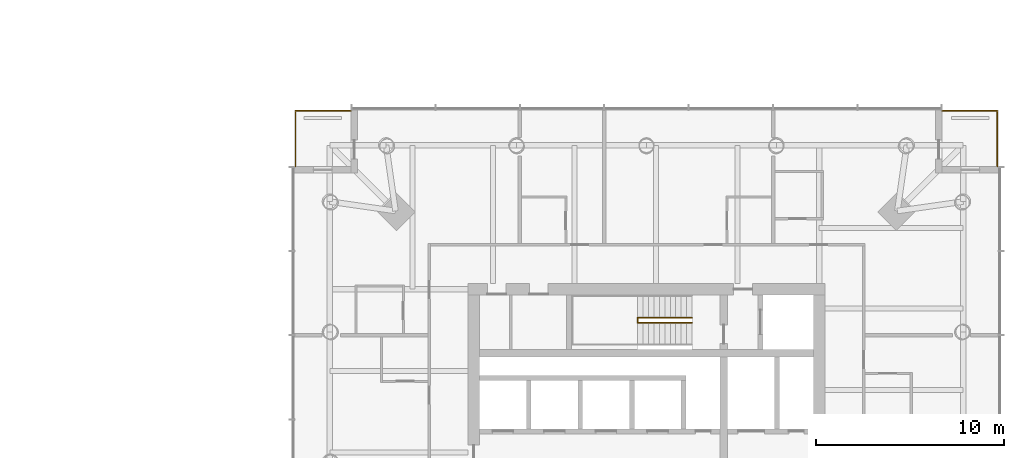
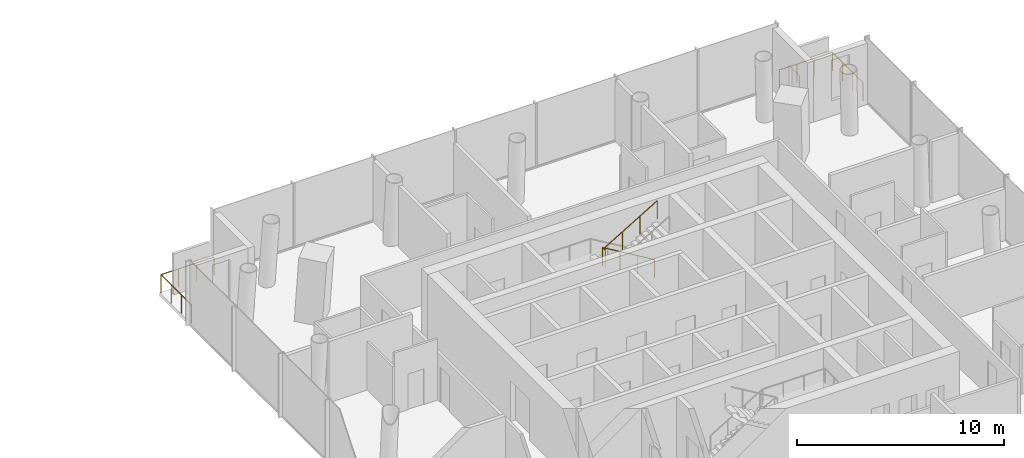
# One storey, part 18 of 18: 3 railings.
"""IFC4 building model written with IfcOpenShell, lengths in metres."""

from ifc_helpers import new_model, si_unit, direction, frame, origin, origin_2d, place, context, subcontext, project, spatial, circle, extrude, material, type_object, element, save


model = new_model("IFC4")

# Units and contexts
model_context = context("Model", 3, precision=1e-05, world=origin(), true_north=direction((0.0, 1.0)))
body_context = subcontext(model_context, "Body", "Model", "MODEL_VIEW")
ifc_project = project(units=[si_unit("LENGTHUNIT", "METRE"), si_unit("AREAUNIT", "SQUARE_METRE"), si_unit("VOLUMEUNIT", "CUBIC_METRE"), si_unit("PLANEANGLEUNIT", "RADIAN"), si_unit("MASSUNIT", "GRAM", prefix="KILO")], contexts=[model_context])

# Site, building, storey
site_placement = place(None, origin())
site = spatial("IfcSite", under=ifc_project, at=site_placement, CompositionType="ELEMENT")
building_placement = place(site_placement, origin())
building = spatial("IfcBuilding", under=site, at=building_placement, Name="Ostroluk Exchange", CompositionType="ELEMENT")
storey_placement = place(building_placement, frame((0.0, 0.0, 70.39990234375)))
storey = spatial("IfcBuildingStorey", under=building, at=storey_placement, Name="L17", CompositionType="ELEMENT", Elevation=70.39990234375)

# Railings
ifc_material_1 = material(Name="Stainless steel", Category="steel")
railing_type_1 = type_object("IfcRailingType", Name="Guard 1100 stainless steel", PredefinedType="GUARDRAIL", material=ifc_material_1)
railing_1_placement = place(storey_placement, frame((132.75, 64.699951171875, 0.0)))
element("IfcRailing", 1, at=railing_1_placement, inside=storey, type_object=railing_type_1, Name="Hotel tower NE balcony guard L17", PredefinedType="GUARDRAIL", context=body_context, shape_type="SweptSolid", body=[
    extrude(circle(Radius=0.02392578125, at=origin_2d()), frame((0.0, 0.0, 1.076171875), z_axis=(1.0, 0.0, 0.0), x_axis=(0.0, 1.0, 0.0)), (0.0, 0.0, 1.0), 2.949951171875),
    extrude(circle(Radius=0.02392578125, at=origin_2d()), frame((2.949951171875, 0.0, 1.076171875), z_axis=(0.0, -1.0, 0.0), x_axis=(1.0, 0.0, 0.0)), (0.0, 0.0, 1.0), 2.949951171875),
    extrude(circle(Radius=0.02099609375, at=origin_2d()), origin(), (0.0, 0.0, 1.0), 1.052001953125),
    extrude(circle(Radius=0.02099609375, at=origin_2d()), frame((0.9833984375, 0.0, 0.0)), (0.0, 0.0, 1.0), 1.052001953125),
    extrude(circle(Radius=0.02099609375, at=origin_2d()), frame((1.966552734375, 0.0, 0.0)), (0.0, 0.0, 1.0), 1.052001953125),
    extrude(circle(Radius=0.02099609375, at=origin_2d()), frame((2.949951171875, 0.0, 0.0)), (0.0, 0.0, 1.0), 1.052001953125),
    extrude(circle(Radius=0.02099609375, at=origin_2d()), frame((2.949951171875, -0.9833984375, 0.0)), (0.0, 0.0, 1.0), 1.052001953125),
    extrude(circle(Radius=0.02099609375, at=origin_2d()), frame((2.949951171875, -1.966552734375, 0.0)), (0.0, 0.0, 1.0), 1.052001953125),
    extrude(circle(Radius=0.02099609375, at=origin_2d()), frame((2.949951171875, -2.949951171875, 0.0)), (0.0, 0.0, 1.0), 1.052001953125),
])
railing_2_placement = place(storey_placement, frame((101.25, 64.699951171875, 0.0)))
element("IfcRailing", 2, at=railing_2_placement, inside=storey, type_object=railing_type_1, Name="Hotel tower NW balcony guard L17", PredefinedType="GUARDRAIL", context=body_context, shape_type="SweptSolid", body=[
    extrude(circle(Radius=0.02392578125, at=origin_2d()), frame((0.0, 0.0, 1.076171875), z_axis=(-1.0, 0.0, 0.0), x_axis=(0.0, -1.0, 0.0)), (0.0, 0.0, 1.0), 2.949951171875),
    extrude(circle(Radius=0.02392578125, at=origin_2d()), frame((-2.949951171875, 0.0, 1.076171875), z_axis=(0.0, -1.0, 0.0), x_axis=(1.0, 0.0, 0.0)), (0.0, 0.0, 1.0), 2.949951171875),
    extrude(circle(Radius=0.02099609375, at=origin_2d()), origin(), (0.0, 0.0, 1.0), 1.052001953125),
    extrude(circle(Radius=0.02099609375, at=origin_2d()), frame((-0.9833984375, 0.0, 0.0)), (0.0, 0.0, 1.0), 1.052001953125),
    extrude(circle(Radius=0.02099609375, at=origin_2d()), frame((-1.966552734375, 0.0, 0.0)), (0.0, 0.0, 1.0), 1.052001953125),
    extrude(circle(Radius=0.02099609375, at=origin_2d()), frame((-2.949951171875, 0.0, 0.0)), (0.0, 0.0, 1.0), 1.052001953125),
    extrude(circle(Radius=0.02099609375, at=origin_2d()), frame((-2.949951171875, -0.9833984375, 0.0)), (0.0, 0.0, 1.0), 1.052001953125),
    extrude(circle(Radius=0.02099609375, at=origin_2d()), frame((-2.949951171875, -1.966552734375, 0.0)), (0.0, 0.0, 1.0), 1.052001953125),
    extrude(circle(Radius=0.02099609375, at=origin_2d()), frame((-2.949951171875, -2.949951171875, 0.0)), (0.0, 0.0, 1.0), 1.052001953125),
])
ifc_material_2 = material(Name="Steel S355", Category="steel")
railing_type_2 = type_object("IfcRailingType", Name="Stair guard 1100", PredefinedType="GUARDRAIL", material=ifc_material_2)
railing_3_placement = place(storey_placement, frame((119.429931640625, 53.679931640625, 0.1728515625)))
element("IfcRailing", 3, at=railing_3_placement, inside=storey, type_object=railing_type_2, Name="Stair T2-S2 guard L17", PredefinedType="GUARDRAIL", context=body_context, shape_type="SweptSolid", body=[
    extrude(circle(Radius=0.02392578125, at=origin_2d()), frame((0.0, 0.0, 1.076171875), z_axis=(-0.859141464434, 0.0, 0.511738159696), x_axis=(0.0, -1.0, 0.0)), (0.0, 0.0, 1.0), 3.375244140625),
    extrude(circle(Radius=0.02392578125, at=origin_2d()), frame((-2.89990234375, 0.0, 2.80322265625), z_axis=(0.0, -1.0, 0.0), x_axis=(1.0, 0.0, 0.0)), (0.0, 0.0, 1.0), 0.260009765625),
    extrude(circle(Radius=0.02392578125, at=origin_2d()), frame((-2.89990234375, -0.260009765625, 2.80322265625), z_axis=(0.0, 0.0, 1.0), x_axis=(1.0, 0.0, 0.0)), (0.0, 0.0, 1.0), 0.172607421875),
    extrude(circle(Radius=0.02392578125, at=origin_2d()), frame((-2.89990234375, -0.260009765625, 2.97607421875), z_axis=(0.859141464434, 0.0, 0.511738159696), x_axis=(0.0, 1.0, 0.0)), (0.0, 0.0, 1.0), 3.375244140625),
    extrude(circle(Radius=0.02099609375, at=origin_2d()), origin(), (0.0, 0.0, 1.0), 1.052001953125),
    extrude(circle(Radius=0.02099609375, at=origin_2d()), frame((-0.966552734375, 0.0, 0.57568359375)), (0.0, 0.0, 1.0), 1.052001953125),
    extrude(circle(Radius=0.02099609375, at=origin_2d()), frame((-1.933349609375, 0.0, 1.151611328125)), (0.0, 0.0, 1.0), 1.052001953125),
    extrude(circle(Radius=0.02099609375, at=origin_2d()), frame((-2.89990234375, 0.0, 1.727294921875)), (0.0, 0.0, 1.0), 1.052001953125),
    extrude(circle(Radius=0.02099609375, at=origin_2d()), frame((-2.89990234375, -0.260009765625, 1.727294921875)), (0.0, 0.0, 1.0), 1.052001953125),
    extrude(circle(Radius=0.02099609375, at=origin_2d()), frame((-2.89990234375, -0.260009765625, 1.89990234375)), (0.0, 0.0, 1.0), 1.052001953125),
    extrude(circle(Radius=0.02099609375, at=origin_2d()), frame((-1.933349609375, -0.260009765625, 2.4755859375)), (0.0, 0.0, 1.0), 1.052001953125),
    extrude(circle(Radius=0.02099609375, at=origin_2d()), frame((-0.966552734375, -0.260009765625, 3.051513671875)), (0.0, 0.0, 1.0), 1.052001953125),
    extrude(circle(Radius=0.02099609375, at=origin_2d()), frame((0.0, -0.260009765625, 3.627197265625)), (0.0, 0.0, 1.0), 1.052001953125),
])

save(model, "model.ifc")
